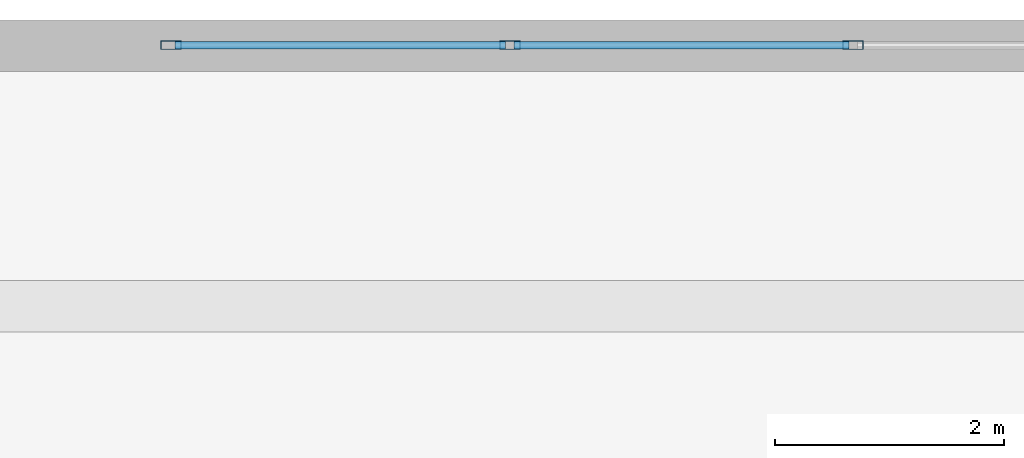
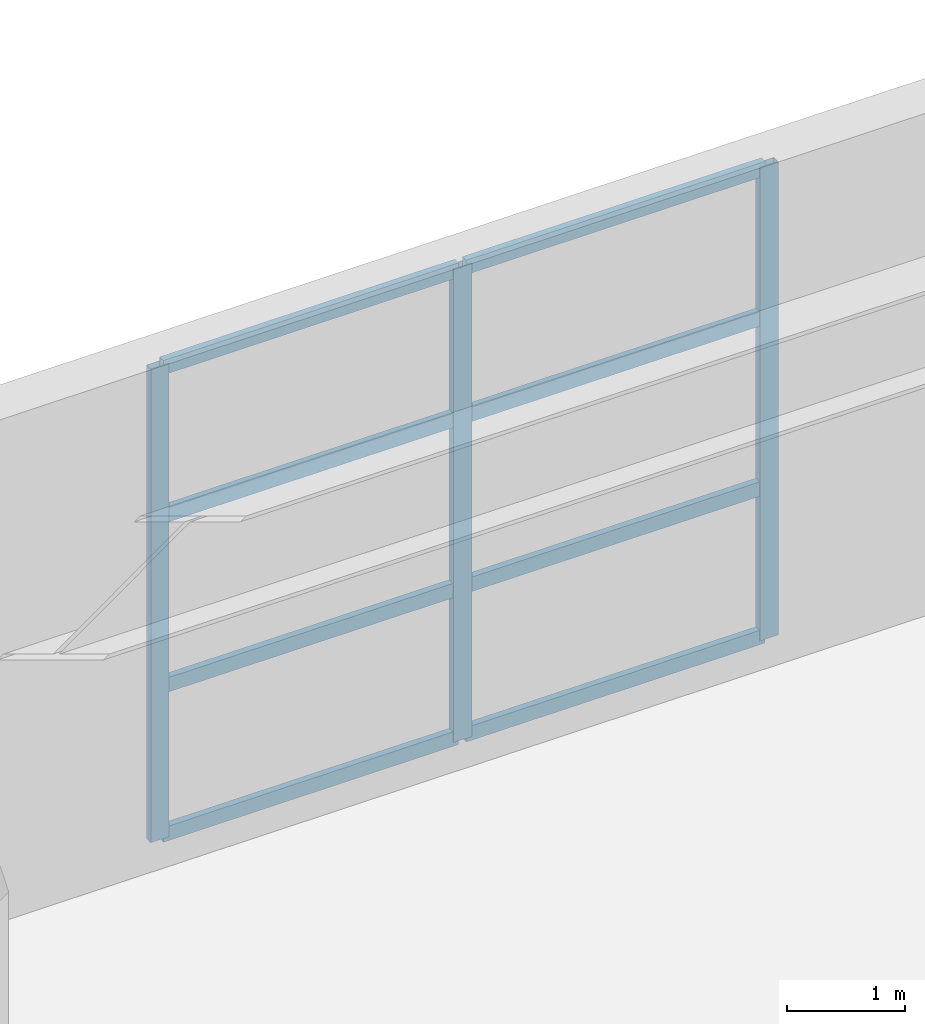
# One storey, part 18 of 34: 11 members, 1 element without a shape of its own.
"""IFC4 building model written with IfcOpenShell, lengths in metres."""

from ifc_helpers import new_model, si_unit, direction, frame, origin, origin_2d, place, context, subcontext, project, spatial, hollow_rectangle, extrude, material, layer, layer_set, material_profile, profile_set, type_object, element, aggregate, save


model = new_model("IFC4")

# Units and contexts
model_context = context("Model", 3, precision=1e-05, world=origin(), true_north=direction((0.0, 1.0)))
body_context = subcontext(model_context, "Body", "Model", "MODEL_VIEW")
ifc_project = project(units=[si_unit("LENGTHUNIT", "METRE"), si_unit("AREAUNIT", "SQUARE_METRE"), si_unit("VOLUMEUNIT", "CUBIC_METRE"), si_unit("PLANEANGLEUNIT", "RADIAN"), si_unit("MASSUNIT", "GRAM", prefix="KILO")], contexts=[model_context])

# Site, building, storey
site_placement = place(None, origin())
site = spatial("IfcSite", under=ifc_project, at=site_placement, CompositionType="ELEMENT")
building_placement = place(site_placement, origin())
building = spatial("IfcBuilding", under=site, at=building_placement, Name="Qiaolan Cultural Towers", CompositionType="ELEMENT")
storey_placement = place(building_placement, frame((0.0, 0.0, 16.5)))
storey = spatial("IfcBuildingStorey", under=building, at=storey_placement, Name="L03", CompositionType="ELEMENT", Elevation=16.5)

# Curtain wall, members
ifc_material_1 = material(Name="Unitized Anodized Aluminium Curtain Wall System", Category="aluminium")
ifc_layer = layer(ifc_material_1, 0.199951171875)
ifc_layer_set = layer_set([ifc_layer], Name="Unitized Anodized Aluminium Curtain Wall System")
curtain_wall_type = type_object("IfcCurtainWallType", Name="CWS-01", PredefinedType="NOTDEFINED", material=ifc_layer_set)
curtain_wall_placement = place(storey_placement, origin())
curtain_wall = element("IfcCurtainWall", 1, at=curtain_wall_placement, inside=storey, type_object=curtain_wall_type, Name="L03 North Atrium Curtain Wall", PredefinedType="NOTDEFINED")
ifc_material_2 = material(Name="Extruded Aluminium 6063-T6", Category="aluminium")
ifc_material_profile_1 = material_profile(ifc_material_2, hollow_rectangle(XDim=0.074951171875, YDim=0.179931640625, WallThickness=0.00390625, at=origin_2d()), Name="CWM-180x75x4")
ifc_profile_set_1 = profile_set([ifc_material_profile_1], Name="Extruded Aluminium 6063-T6")
member_type_1 = type_object("IfcMemberType", Name="CWS-01-MUL", PredefinedType="MULLION", material=ifc_profile_set_1)
member_1_placement = place(storey_placement, frame((50.03759765625, 67.780029296875, 0.14990234375), z_axis=(0.0, 0.0, 1.0), x_axis=(0.0, 1.0, 0.0)))
member_1 = element("IfcMember", 2, at=member_1_placement, type_object=member_type_1, Name="CW-1 mullion 1", PredefinedType="MULLION", context=body_context, shape_type="SweptSolid", body=[
    extrude(hollow_rectangle(XDim=0.074951171875, YDim=0.179931640625, WallThickness=0.00390625, at=origin_2d()), origin(), (0.0, 0.0, 1.0), 4.900146484375),
])
member_2_placement = place(storey_placement, frame((53.0, 67.780029296875, 0.14990234375), z_axis=(0.0, 0.0, 1.0), x_axis=(0.0, 1.0, 0.0)))
member_2 = element("IfcMember", 3, at=member_2_placement, type_object=member_type_1, Name="CW-1 mullion 2", PredefinedType="MULLION", context=body_context, shape_type="SweptSolid", body=[
    extrude(hollow_rectangle(XDim=0.074951171875, YDim=0.179931640625, WallThickness=0.00390625, at=origin_2d()), origin(), (0.0, 0.0, 1.0), 4.900146484375),
])
member_3_placement = place(storey_placement, frame((56.0, 67.780029296875, 0.14990234375), z_axis=(0.0, 0.0, 1.0), x_axis=(0.0, 1.0, 0.0)))
member_3 = element("IfcMember", 4, at=member_3_placement, type_object=member_type_1, Name="CW-1 mullion 3", PredefinedType="MULLION", context=body_context, shape_type="SweptSolid", body=[
    extrude(hollow_rectangle(XDim=0.074951171875, YDim=0.179931640625, WallThickness=0.00390625, at=origin_2d()), origin(), (0.0, 0.0, 1.0), 4.900146484375),
])
ifc_material_3 = material(Name="Extruded Aluminium 6063-T6", Category="aluminium")
ifc_material_profile_2 = material_profile(ifc_material_3, hollow_rectangle(XDim=0.06494140625, YDim=0.14990234375, WallThickness=0.00390625, at=origin_2d()), Name="CWT-150x65x4")
ifc_profile_set_2 = profile_set([ifc_material_profile_2], Name="Extruded Aluminium 6063-T6")
member_type_2 = type_object("IfcMemberType", Name="CWS-01-TRN", PredefinedType="USERDEFINED", material=ifc_profile_set_2)
member_4_placement = place(storey_placement, frame((50.074951171875, 67.780029296875, 0.1826171875), z_axis=(1.0, 0.0, 0.0), x_axis=(0.0, 1.0, 0.0)))
member_4 = element("IfcMember", 5, at=member_4_placement, type_object=member_type_2, Name="CW-1 transom 1.1", ObjectType="TRANSOM", PredefinedType="USERDEFINED", context=body_context, shape_type="SweptSolid", body=[
    extrude(hollow_rectangle(XDim=0.06494140625, YDim=0.14990234375, WallThickness=0.00390625, at=origin_2d()), origin(), (0.0, 0.0, 1.0), 2.887451171875),
])
member_5_placement = place(storey_placement, frame((50.074951171875, 67.780029296875, 1.719970703125), z_axis=(1.0, 0.0, 0.0), x_axis=(0.0, 1.0, 0.0)))
member_5 = element("IfcMember", 6, at=member_5_placement, type_object=member_type_2, Name="CW-1 transom 1.2", ObjectType="TRANSOM", PredefinedType="USERDEFINED", context=body_context, shape_type="SweptSolid", body=[
    extrude(hollow_rectangle(XDim=0.06494140625, YDim=0.14990234375, WallThickness=0.00390625, at=origin_2d()), origin(), (0.0, 0.0, 1.0), 2.887451171875),
])
member_6_placement = place(storey_placement, frame((50.074951171875, 67.780029296875, 3.47998046875), z_axis=(1.0, 0.0, 0.0), x_axis=(0.0, 1.0, 0.0)))
member_6 = element("IfcMember", 7, at=member_6_placement, type_object=member_type_2, Name="CW-1 transom 1.3", ObjectType="TRANSOM", PredefinedType="USERDEFINED", context=body_context, shape_type="SweptSolid", body=[
    extrude(hollow_rectangle(XDim=0.06494140625, YDim=0.14990234375, WallThickness=0.00390625, at=origin_2d()), origin(), (0.0, 0.0, 1.0), 2.887451171875),
])
member_7_placement = place(storey_placement, frame((50.074951171875, 67.780029296875, 5.017578125), z_axis=(1.0, 0.0, 0.0), x_axis=(0.0, 1.0, 0.0)))
member_7 = element("IfcMember", 8, at=member_7_placement, type_object=member_type_2, Name="CW-1 transom 1.4", ObjectType="TRANSOM", PredefinedType="USERDEFINED", context=body_context, shape_type="SweptSolid", body=[
    extrude(hollow_rectangle(XDim=0.06494140625, YDim=0.14990234375, WallThickness=0.00390625, at=origin_2d()), origin(), (0.0, 0.0, 1.0), 2.887451171875),
])
member_8_placement = place(storey_placement, frame((53.03759765625, 67.780029296875, 0.1826171875), z_axis=(1.0, 0.0, 0.0), x_axis=(0.0, 1.0, 0.0)))
member_8 = element("IfcMember", 9, at=member_8_placement, type_object=member_type_2, Name="CW-1 transom 2.1", ObjectType="TRANSOM", PredefinedType="USERDEFINED", context=body_context, shape_type="SweptSolid", body=[
    extrude(hollow_rectangle(XDim=0.06494140625, YDim=0.14990234375, WallThickness=0.00390625, at=origin_2d()), origin(), (0.0, 0.0, 1.0), 2.9248046875),
])
member_9_placement = place(storey_placement, frame((53.03759765625, 67.780029296875, 1.719970703125), z_axis=(1.0, 0.0, 0.0), x_axis=(0.0, 1.0, 0.0)))
member_9 = element("IfcMember", 10, at=member_9_placement, type_object=member_type_2, Name="CW-1 transom 2.2", ObjectType="TRANSOM", PredefinedType="USERDEFINED", context=body_context, shape_type="SweptSolid", body=[
    extrude(hollow_rectangle(XDim=0.06494140625, YDim=0.14990234375, WallThickness=0.00390625, at=origin_2d()), origin(), (0.0, 0.0, 1.0), 2.9248046875),
])
member_10_placement = place(storey_placement, frame((53.03759765625, 67.780029296875, 3.47998046875), z_axis=(1.0, 0.0, 0.0), x_axis=(0.0, 1.0, 0.0)))
member_10 = element("IfcMember", 11, at=member_10_placement, type_object=member_type_2, Name="CW-1 transom 2.3", ObjectType="TRANSOM", PredefinedType="USERDEFINED", context=body_context, shape_type="SweptSolid", body=[
    extrude(hollow_rectangle(XDim=0.06494140625, YDim=0.14990234375, WallThickness=0.00390625, at=origin_2d()), origin(), (0.0, 0.0, 1.0), 2.9248046875),
])
member_11_placement = place(storey_placement, frame((53.03759765625, 67.780029296875, 5.017578125), z_axis=(1.0, 0.0, 0.0), x_axis=(0.0, 1.0, 0.0)))
member_11 = element("IfcMember", 12, at=member_11_placement, type_object=member_type_2, Name="CW-1 transom 2.4", ObjectType="TRANSOM", PredefinedType="USERDEFINED", context=body_context, shape_type="SweptSolid", body=[
    extrude(hollow_rectangle(XDim=0.06494140625, YDim=0.14990234375, WallThickness=0.00390625, at=origin_2d()), origin(), (0.0, 0.0, 1.0), 2.9248046875),
])
aggregate(curtain_wall, [member_1, member_2, member_3, member_4, member_5, member_6, member_7, member_8, member_9, member_10, member_11])

save(model, "model.ifc")
